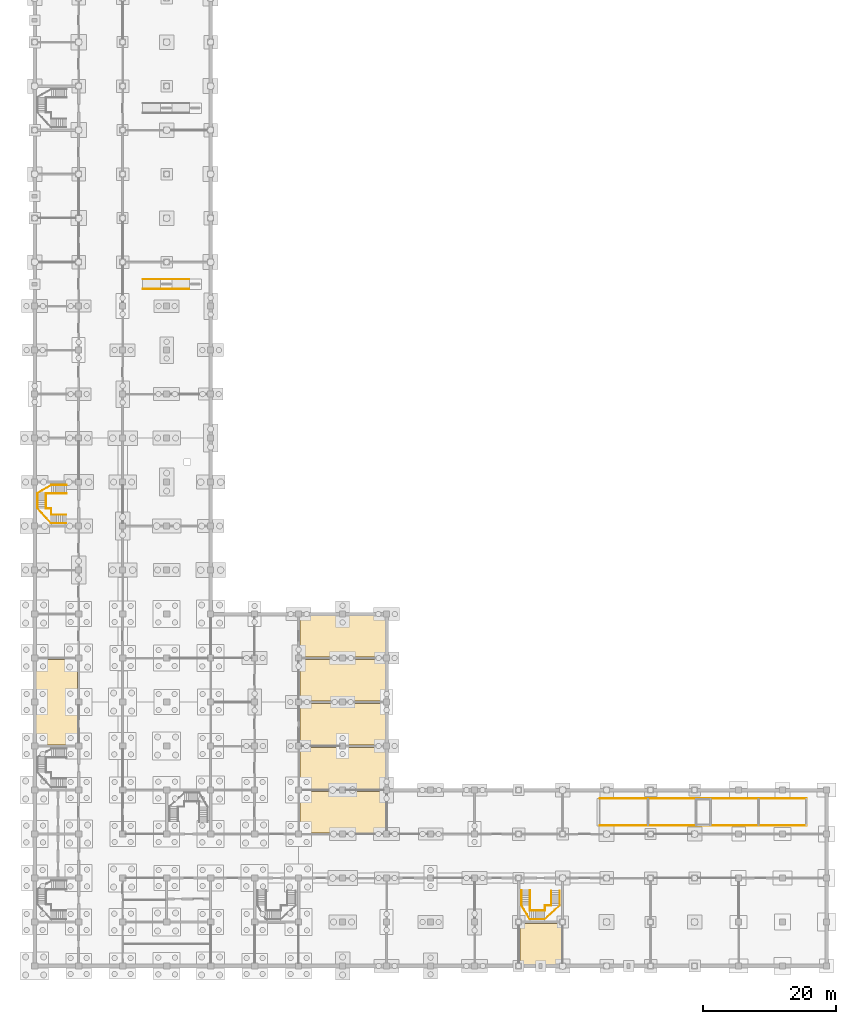
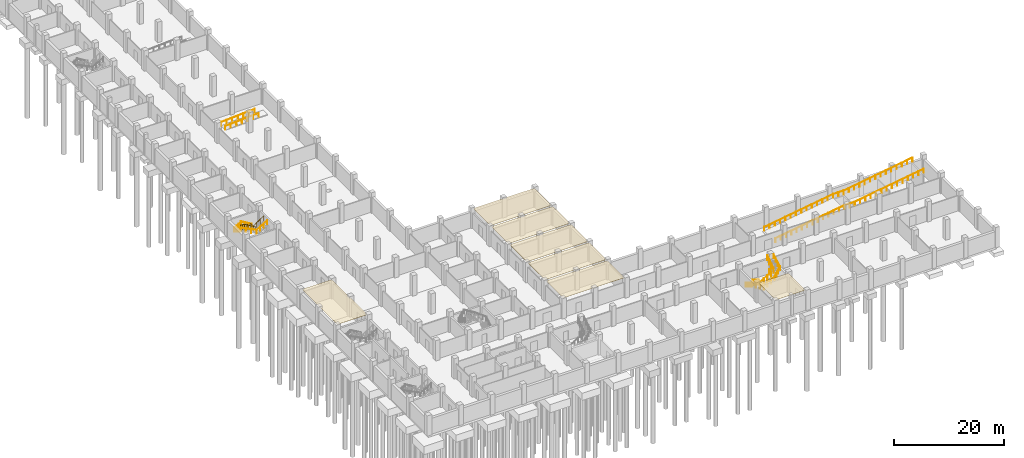
# One storey, part 17 of 18: 8 railings, 7 coverings.
"""IFC4 building model written with IfcOpenShell, lengths in metres."""

from ifc_helpers import new_model, si_unit, direction, frame, origin, origin_2d, place, context, subcontext, project, spatial, polyline, circle, outline, extrude, material, layer, layer_set, type_object, element, save


model = new_model("IFC4")

# Units and contexts
model_context = context("Model", 3, precision=1e-05, world=origin(), true_north=direction((0.0, 1.0)))
body_context = subcontext(model_context, "Body", "Model", "MODEL_VIEW")
ifc_project = project(units=[si_unit("LENGTHUNIT", "METRE"), si_unit("AREAUNIT", "SQUARE_METRE"), si_unit("VOLUMEUNIT", "CUBIC_METRE"), si_unit("PLANEANGLEUNIT", "RADIAN"), si_unit("MASSUNIT", "GRAM", prefix="KILO")], contexts=[model_context])

# Site, building, storey
site_placement = place(None, origin())
site = spatial("IfcSite", under=ifc_project, at=site_placement, CompositionType="ELEMENT")
building_placement = place(site_placement, origin())
building = spatial("IfcBuilding", under=site, at=building_placement, Name="Rusizi Kubbe Research Institute", CompositionType="ELEMENT")
storey_placement = place(building_placement, frame((0.0, 0.0, -4.5)))
storey = spatial("IfcBuildingStorey", under=building, at=storey_placement, Name="B01", CompositionType="ELEMENT", Elevation=-4.5)

# Coverings
ifc_material_1 = material(Name="Mineral-Fibre Acoustic Laboratory Ceiling", Category="masonry")
ifc_layer_1 = layer(ifc_material_1, 0.0400390625)
ifc_layer_set_1 = layer_set([ifc_layer_1], Name="Mineral-Fibre Acoustic Laboratory Ceiling")
covering_type_1 = type_object("IfcCoveringType", Name="CL-ACOUSTIC", PredefinedType="CEILING", material=ifc_layer_set_1)
covering_1_placement = place(storey_placement, frame((0.0, 0.0, 4.050048828125)))
element("IfcCovering", 1, at=covering_1_placement, inside=storey, type_object=covering_type_1, Name="Write-up Office Ceiling B01-ELBE-03", PredefinedType="CEILING", context=body_context, shape_type="SweptSolid", body=[
    extrude(outline(polyline([(39.7900390625, 19.989990234375), (52.610107421875, 19.989990234375), (52.610107421875, 26.2099609375), (39.7900390625, 26.2099609375), (39.7900390625, 19.989990234375)])), origin(), (0.0, 0.0, 1.0), 0.0400390625),
])
covering_2_placement = place(storey_placement, frame((0.0, 0.0, 4.050048828125)))
element("IfcCovering", 2, at=covering_2_placement, inside=storey, type_object=covering_type_1, Name="Write-up Office Ceiling B01-ELBE-04", PredefinedType="CEILING", context=body_context, shape_type="SweptSolid", body=[
    extrude(outline(polyline([(39.7900390625, 26.590087890625), (52.610107421875, 26.590087890625), (52.610107421875, 32.81005859375), (39.7900390625, 32.81005859375), (39.7900390625, 26.590087890625)])), origin(), (0.0, 0.0, 1.0), 0.0400390625),
])
covering_3_placement = place(storey_placement, frame((0.0, 0.0, 4.050048828125)))
element("IfcCovering", 3, at=covering_3_placement, inside=storey, type_object=covering_type_1, Name="Write-up Office Ceiling B01-ELBE-05", PredefinedType="CEILING", context=body_context, shape_type="SweptSolid", body=[
    extrude(outline(polyline([(39.7900390625, 33.18994140625), (52.610107421875, 33.18994140625), (52.610107421875, 39.409912109375), (39.7900390625, 39.409912109375), (39.7900390625, 33.18994140625)])), origin(), (0.0, 0.0, 1.0), 0.0400390625),
])
covering_4_placement = place(storey_placement, frame((0.0, 0.0, 4.050048828125)))
element("IfcCovering", 4, at=covering_4_placement, inside=storey, type_object=covering_type_1, Name="Atrium Seminar Room Ceiling B01-ELBE-06", PredefinedType="CEILING", context=body_context, shape_type="SweptSolid", body=[
    extrude(outline(polyline([(39.7900390625, 39.7900390625), (52.610107421875, 39.7900390625), (52.610107421875, 46.010009765625), (39.7900390625, 46.010009765625), (39.7900390625, 39.7900390625)])), origin(), (0.0, 0.0, 1.0), 0.0400390625),
])
covering_5_placement = place(storey_placement, frame((0.0, 0.0, 4.050048828125)))
element("IfcCovering", 5, at=covering_5_placement, inside=storey, type_object=covering_type_1, Name="Atrium Seminar Room Ceiling B01-ELBE-07", PredefinedType="CEILING", context=body_context, shape_type="SweptSolid", body=[
    extrude(outline(polyline([(39.7900390625, 46.389892578125), (52.610107421875, 46.389892578125), (52.610107421875, 52.610107421875), (39.7900390625, 52.610107421875), (39.7900390625, 46.389892578125)])), origin(), (0.0, 0.0, 1.0), 0.0400390625),
])
covering_6_placement = place(storey_placement, frame((0.0, 0.0, 4.050048828125)))
element("IfcCovering", 6, at=covering_6_placement, inside=storey, type_object=covering_type_1, Name="Laboratory Instrument Support Room Ceiling B01-EWU-11", PredefinedType="CEILING", context=body_context, shape_type="SweptSolid", body=[
    extrude(outline(polyline([(72.7900390625, 0.18994140625), (79.010009765625, 0.18994140625), (79.010009765625, 6.409912109375), (72.7900390625, 6.409912109375), (72.7900390625, 0.18994140625)])), origin(), (0.0, 0.0, 1.0), 0.0400390625),
])
ifc_material_2 = material(Name="Flush Cleanroom Aluminium HEPA Ceiling Grid", Category="aluminium")
ifc_layer_2 = layer(ifc_material_2, 0.044921875)
ifc_layer_set_2 = layer_set([ifc_layer_2], Name="Flush Cleanroom Aluminium HEPA Ceiling Grid")
covering_type_2 = type_object("IfcCoveringType", Name="CL-HEPA", PredefinedType="CEILING", material=ifc_layer_set_2)
covering_7_placement = place(storey_placement, frame((0.0, 0.0, 4.044921875)))
element("IfcCovering", 7, at=covering_7_placement, inside=storey, type_object=covering_type_2, Name="ISO-5 Nanometrology Clean Room Ceiling B01-CR-05", PredefinedType="CEILING", context=body_context, shape_type="SweptSolid", body=[
    extrude(outline(polyline([(0.18994140625, 33.18994140625), (6.409912109375, 33.18994140625), (6.409912109375, 46.010009765625), (0.18994140625, 46.010009765625), (0.18994140625, 33.18994140625)])), origin(), (0.0, 0.0, 1.0), 0.045166015625),
])

# Railings
ifc_material_3 = material(Name="Painted Steel Stair Guard", Category="steel")
railing_type_1 = type_object("IfcRailingType", Name="GR-STAIR", PredefinedType="GUARDRAIL", material=ifc_material_3)
railing_1_placement = place(storey_placement, frame((4.780029296875, 70.889892578125, 0.083251953125)))
element("IfcRailing", 8, at=railing_1_placement, inside=storey, type_object=railing_type_1, Name="Stair Inner Well Guard ST5 B01", PredefinedType="GUARDRAIL", context=body_context, shape_type="SweptSolid", body=[
    extrude(circle(Radius=0.02392578125, at=origin_2d()), frame((0.0, 0.0, 1.09619140625), z_axis=(-0.849380094892, 0.0, 0.527781635149), x_axis=(0.0, -1.0, 0.0)), (0.0, 0.0, 1.0), 2.684326171875),
    extrude(circle(Radius=0.02392578125, at=origin_2d()), frame((-2.280029296875, 0.0, 2.5126953125), z_axis=(-1.0, 0.0, 0.0), x_axis=(0.0, -1.0, 0.0)), (0.0, 0.0, 1.0), 0.7900390625),
    extrude(circle(Radius=0.02392578125, at=origin_2d()), frame((-3.070068359375, 0.0, 2.5126953125), z_axis=(0.0, 0.43341827455, 0.901192875741), x_axis=(-1.0, 0.0, 0.0)), (0.0, 0.0, 1.0), 0.09228515625),
    extrude(circle(Radius=0.02392578125, at=origin_2d()), frame((-3.070068359375, 0.0400390625, 2.59619140625), z_axis=(0.0, -0.845145079244, 0.534536991264), x_axis=(1.0, 0.0, 0.0)), (0.0, 0.0, 1.0), 2.650390625),
    extrude(circle(Radius=0.02392578125, at=origin_2d()), frame((-3.070068359375, -2.199951171875, 4.0126953125), z_axis=(0.0, -1.0, 0.0), x_axis=(1.0, 0.0, 0.0)), (0.0, 0.0, 1.0), 0.0400390625),
    extrude(circle(Radius=0.02392578125, at=origin_2d()), frame((-3.070068359375, -2.239990234375, 4.0126953125), z_axis=(1.0, 0.0, 0.0), x_axis=(0.0, 1.0, 0.0)), (0.0, 0.0, 1.0), 0.7900390625),
    extrude(circle(Radius=0.02392578125, at=origin_2d()), frame((-2.280029296875, -2.239990234375, 4.0126953125), z_axis=(0.0, -1.0, 0.0), x_axis=(1.0, 0.0, 0.0)), (0.0, 0.0, 1.0), 0.93994140625),
    extrude(circle(Radius=0.02392578125, at=origin_2d()), frame((-2.280029296875, -3.179931640625, 4.0126953125), z_axis=(0.826221523208, 0.0, 0.563345359959), x_axis=(0.0, 1.0, 0.0)), (0.0, 0.0, 1.0), 2.66259765625),
    extrude(circle(Radius=0.02099609375, at=origin_2d()), origin(), (0.0, 0.0, 1.0), 1.072021484375),
    extrude(circle(Radius=0.02099609375, at=origin_2d()), frame((-0.760009765625, 0.0, 0.47216796875)), (0.0, 0.0, 1.0), 1.072021484375),
    extrude(circle(Radius=0.02099609375, at=origin_2d()), frame((-1.52001953125, 0.0, 0.944580078125)), (0.0, 0.0, 1.0), 1.072021484375),
    extrude(circle(Radius=0.02099609375, at=origin_2d()), frame((-2.280029296875, 0.0, 1.416748046875)), (0.0, 0.0, 1.0), 1.072021484375),
    extrude(circle(Radius=0.02099609375, at=origin_2d()), frame((-3.070068359375, 0.0, 1.416748046875)), (0.0, 0.0, 1.0), 1.072021484375),
    extrude(circle(Radius=0.02099609375, at=origin_2d()), frame((-3.070068359375, 0.0400390625, 1.5)), (0.0, 0.0, 1.0), 1.072021484375),
    extrude(circle(Radius=0.02099609375, at=origin_2d()), frame((-3.070068359375, -0.70654296875, 1.97216796875)), (0.0, 0.0, 1.0), 1.072021484375),
    extrude(circle(Radius=0.02099609375, at=origin_2d()), frame((-3.070068359375, -1.453369140625, 2.444580078125)), (0.0, 0.0, 1.0), 1.072021484375),
    extrude(circle(Radius=0.02099609375, at=origin_2d()), frame((-3.070068359375, -2.199951171875, 2.916748046875)), (0.0, 0.0, 1.0), 1.072021484375),
    extrude(circle(Radius=0.02099609375, at=origin_2d()), frame((-3.070068359375, -2.239990234375, 2.916748046875)), (0.0, 0.0, 1.0), 1.072021484375),
    extrude(circle(Radius=0.02099609375, at=origin_2d()), frame((-2.280029296875, -2.239990234375, 2.916748046875)), (0.0, 0.0, 1.0), 1.072021484375),
    extrude(circle(Radius=0.02099609375, at=origin_2d()), frame((-2.280029296875, -3.179931640625, 2.916748046875)), (0.0, 0.0, 1.0), 1.072021484375),
    extrude(circle(Radius=0.02099609375, at=origin_2d()), frame((-1.546630859375, -3.179931640625, 3.416748046875)), (0.0, 0.0, 1.0), 1.072021484375),
    extrude(circle(Radius=0.02099609375, at=origin_2d()), frame((-0.8134765625, -3.179931640625, 3.916748046875)), (0.0, 0.0, 1.0), 1.072021484375),
    extrude(circle(Radius=0.02099609375, at=origin_2d()), frame((-0.080078125, -3.179931640625, 4.416748046875)), (0.0, 0.0, 1.0), 1.072021484375),
])
railing_2_placement = place(storey_placement, frame((74.31005859375, 11.3798828125, 0.083251953125)))
element("IfcRailing", 9, at=railing_2_placement, inside=storey, type_object=railing_type_1, Name="Stair Inner Well Guard ST7 B01", PredefinedType="GUARDRAIL", context=body_context, shape_type="SweptSolid", body=[
    extrude(circle(Radius=0.02392578125, at=origin_2d()), frame((0.0, 0.0, 1.09619140625), z_axis=(0.0, -0.849354757578, 0.527822409319), x_axis=(1.0, 0.0, 0.0)), (0.0, 0.0, 1.0), 2.68408203125),
    extrude(circle(Radius=0.02392578125, at=origin_2d()), frame((0.0, -2.27978515625, 2.5126953125), z_axis=(0.0, -1.0, 0.0), x_axis=(1.0, 0.0, 0.0)), (0.0, 0.0, 1.0), 0.7900390625),
    extrude(circle(Radius=0.02392578125, at=origin_2d()), frame((0.0, -3.06982421875, 2.5126953125), z_axis=(-0.43341827455, 0.0, 0.901192875741), x_axis=(0.0, -1.0, 0.0)), (0.0, 0.0, 1.0), 0.09228515625),
    extrude(circle(Radius=0.02392578125, at=origin_2d()), frame((-0.0400390625, -3.06982421875, 2.59619140625), z_axis=(0.845145079244, 0.0, 0.534536991264), x_axis=(0.0, 1.0, 0.0)), (0.0, 0.0, 1.0), 2.650390625),
    extrude(circle(Radius=0.02392578125, at=origin_2d()), frame((2.199951171875, -3.06982421875, 4.0126953125), z_axis=(1.0, 0.0, 0.0), x_axis=(0.0, 1.0, 0.0)), (0.0, 0.0, 1.0), 0.0400390625),
    extrude(circle(Radius=0.02392578125, at=origin_2d()), frame((2.239990234375, -3.06982421875, 4.0126953125), z_axis=(0.0, 1.0, 0.0), x_axis=(-1.0, 0.0, 0.0)), (0.0, 0.0, 1.0), 0.7900390625),
    extrude(circle(Radius=0.02392578125, at=origin_2d()), frame((2.239990234375, -2.27978515625, 4.0126953125), z_axis=(1.0, 0.0, 0.0), x_axis=(0.0, 1.0, 0.0)), (0.0, 0.0, 1.0), 0.93994140625),
    extrude(circle(Radius=0.02392578125, at=origin_2d()), frame((3.179931640625, -2.27978515625, 4.0126953125), z_axis=(0.0, 0.826221523208, 0.563345359959), x_axis=(-1.0, 0.0, 0.0)), (0.0, 0.0, 1.0), 2.66259765625),
    extrude(circle(Radius=0.02099609375, at=origin_2d()), origin(), (0.0, 0.0, 1.0), 1.072021484375),
    extrude(circle(Radius=0.02099609375, at=origin_2d()), frame((0.0, -0.760009765625, 0.47216796875)), (0.0, 0.0, 1.0), 1.072021484375),
    extrude(circle(Radius=0.02099609375, at=origin_2d()), frame((0.0, -1.519775390625, 0.944580078125)), (0.0, 0.0, 1.0), 1.072021484375),
    extrude(circle(Radius=0.02099609375, at=origin_2d()), frame((0.0, -2.27978515625, 1.416748046875)), (0.0, 0.0, 1.0), 1.072021484375),
    extrude(circle(Radius=0.02099609375, at=origin_2d()), frame((0.0, -3.06982421875, 1.416748046875)), (0.0, 0.0, 1.0), 1.072021484375),
    extrude(circle(Radius=0.02099609375, at=origin_2d()), frame((-0.0400390625, -3.06982421875, 1.5)), (0.0, 0.0, 1.0), 1.072021484375),
    extrude(circle(Radius=0.02099609375, at=origin_2d()), frame((0.70654296875, -3.06982421875, 1.97216796875)), (0.0, 0.0, 1.0), 1.072021484375),
    extrude(circle(Radius=0.02099609375, at=origin_2d()), frame((1.453369140625, -3.06982421875, 2.444580078125)), (0.0, 0.0, 1.0), 1.072021484375),
    extrude(circle(Radius=0.02099609375, at=origin_2d()), frame((2.199951171875, -3.06982421875, 2.916748046875)), (0.0, 0.0, 1.0), 1.072021484375),
    extrude(circle(Radius=0.02099609375, at=origin_2d()), frame((2.239990234375, -3.06982421875, 2.916748046875)), (0.0, 0.0, 1.0), 1.072021484375),
    extrude(circle(Radius=0.02099609375, at=origin_2d()), frame((2.239990234375, -2.27978515625, 2.916748046875)), (0.0, 0.0, 1.0), 1.072021484375),
    extrude(circle(Radius=0.02099609375, at=origin_2d()), frame((3.179931640625, -2.27978515625, 2.916748046875)), (0.0, 0.0, 1.0), 1.072021484375),
    extrude(circle(Radius=0.02099609375, at=origin_2d()), frame((3.179931640625, -1.54638671875, 3.416748046875)), (0.0, 0.0, 1.0), 1.072021484375),
    extrude(circle(Radius=0.02099609375, at=origin_2d()), frame((3.179931640625, -0.813232421875, 3.916748046875)), (0.0, 0.0, 1.0), 1.072021484375),
    extrude(circle(Radius=0.02099609375, at=origin_2d()), frame((3.179931640625, -0.079833984375, 4.416748046875)), (0.0, 0.0, 1.0), 1.072021484375),
])
ifc_material_4 = material(Name="Brushed Stainless Steel Handrail", Category="steel")
railing_type_2 = type_object("IfcRailingType", Name="HR-RAMP", PredefinedType="HANDRAIL", material=ifc_material_4)
for number, where, name in (
    (10, (16.199951171875, 101.56005859375, 0.0), "Ramp Handrail RAMP-B01-01-A"),
    (11, (16.199951171875, 103.0400390625, 0.0), "Ramp Handrail RAMP-B01-01-B"),
):
    element("IfcRailing", number, at=place(storey_placement, frame(where)), inside=storey, type_object=railing_type_2, Name=name, PredefinedType="HANDRAIL", context=body_context, shape_type="SweptSolid", body=[
        extrude(circle(Radius=0.02392578125, at=origin_2d()), frame((0.0, 0.0, 0.8759765625), z_axis=(0.998205511447, 0.0, 0.05988119), x_axis=(0.0, 1.0, 0.0)), (0.0, 0.0, 1.0), 7.0126953125),
        extrude(circle(Radius=0.02099609375, at=origin_2d()), origin(), (0.0, 0.0, 1.0), 0.851806640625),
        extrude(circle(Radius=0.02099609375, at=origin_2d()), frame((1.166748046875, 0.0, 0.070068359375)), (0.0, 0.0, 1.0), 0.851806640625),
        extrude(circle(Radius=0.02099609375, at=origin_2d()), frame((2.333251953125, 0.0, 0.139892578125)), (0.0, 0.0, 1.0), 0.851806640625),
        extrude(circle(Radius=0.02099609375, at=origin_2d()), frame((3.5, 0.0, 0.2099609375)), (0.0, 0.0, 1.0), 0.851806640625),
        extrude(circle(Radius=0.02099609375, at=origin_2d()), frame((4.666748046875, 0.0, 0.280029296875)), (0.0, 0.0, 1.0), 0.851806640625),
        extrude(circle(Radius=0.02099609375, at=origin_2d()), frame((5.833251953125, 0.0, 0.349853515625)), (0.0, 0.0, 1.0), 0.851806640625),
        extrude(circle(Radius=0.02099609375, at=origin_2d()), frame((7.0, 0.0, 0.419921875)), (0.0, 0.0, 1.0), 0.851806640625),
    ])
railing_3_placement = place(storey_placement, frame((84.800048828125, 21.06005859375, 0.0)))
element("IfcRailing", 12, at=railing_3_placement, inside=storey, type_object=railing_type_2, Name="Vehicle Ramp Flank Rail VR-01-S", PredefinedType="HANDRAIL", context=body_context, shape_type="SweptSolid", body=[
    extrude(circle(Radius=0.02392578125, at=origin_2d()), frame((0.0, 0.0, 0.8759765625), z_axis=(0.988011874064, 0.0, 0.154377902265), x_axis=(0.0, 1.0, 0.0)), (0.0, 0.0, 1.0), 14.57470703125),
    extrude(circle(Radius=0.02392578125, at=origin_2d()), frame((14.39990234375, 0.0, 3.1259765625), z_axis=(1.0, 0.0, 0.0), x_axis=(0.0, 1.0, 0.0)), (0.0, 0.0, 1.0), 2.199951171875),
    extrude(circle(Radius=0.02392578125, at=origin_2d()), frame((16.599853515625, 0.0, 3.1259765625), z_axis=(0.988012273275, 0.0, 0.154375347312), x_axis=(0.0, 1.0, 0.0)), (0.0, 0.0, 1.0), 14.574951171875),
    extrude(circle(Radius=0.02099609375, at=origin_2d()), origin(), (0.0, 0.0, 1.0), 0.851806640625),
    extrude(circle(Radius=0.02099609375, at=origin_2d()), frame((1.107666015625, 0.0, 0.173095703125)), (0.0, 0.0, 1.0), 0.851806640625),
    extrude(circle(Radius=0.02099609375, at=origin_2d()), frame((2.21533203125, 0.0, 0.34619140625)), (0.0, 0.0, 1.0), 0.851806640625),
    extrude(circle(Radius=0.02099609375, at=origin_2d()), frame((3.322998046875, 0.0, 0.519287109375)), (0.0, 0.0, 1.0), 0.851806640625),
    extrude(circle(Radius=0.02099609375, at=origin_2d()), frame((4.4306640625, 0.0, 0.6923828125)), (0.0, 0.0, 1.0), 0.851806640625),
    extrude(circle(Radius=0.02099609375, at=origin_2d()), frame((5.538330078125, 0.0, 0.865478515625)), (0.0, 0.0, 1.0), 0.851806640625),
    extrude(circle(Radius=0.02099609375, at=origin_2d()), frame((6.64599609375, 0.0, 1.03857421875)), (0.0, 0.0, 1.0), 0.851806640625),
    extrude(circle(Radius=0.02099609375, at=origin_2d()), frame((7.75390625, 0.0, 1.21142578125)), (0.0, 0.0, 1.0), 0.851806640625),
    extrude(circle(Radius=0.02099609375, at=origin_2d()), frame((8.861572265625, 0.0, 1.384521484375)), (0.0, 0.0, 1.0), 0.851806640625),
    extrude(circle(Radius=0.02099609375, at=origin_2d()), frame((9.96923828125, 0.0, 1.5576171875)), (0.0, 0.0, 1.0), 0.851806640625),
    extrude(circle(Radius=0.02099609375, at=origin_2d()), frame((11.076904296875, 0.0, 1.730712890625)), (0.0, 0.0, 1.0), 0.851806640625),
    extrude(circle(Radius=0.02099609375, at=origin_2d()), frame((12.1845703125, 0.0, 1.90380859375)), (0.0, 0.0, 1.0), 0.851806640625),
    extrude(circle(Radius=0.02099609375, at=origin_2d()), frame((13.292236328125, 0.0, 2.076904296875)), (0.0, 0.0, 1.0), 0.851806640625),
    extrude(circle(Radius=0.02099609375, at=origin_2d()), frame((14.39990234375, 0.0, 2.25)), (0.0, 0.0, 1.0), 0.851806640625),
    extrude(circle(Radius=0.02099609375, at=origin_2d()), frame((15.5, 0.0, 2.25)), (0.0, 0.0, 1.0), 0.851806640625),
    extrude(circle(Radius=0.02099609375, at=origin_2d()), frame((16.599853515625, 0.0, 2.25)), (0.0, 0.0, 1.0), 0.851806640625),
    extrude(circle(Radius=0.02099609375, at=origin_2d()), frame((17.70751953125, 0.0, 2.423095703125)), (0.0, 0.0, 1.0), 0.851806640625),
    extrude(circle(Radius=0.02099609375, at=origin_2d()), frame((18.815185546875, 0.0, 2.59619140625)), (0.0, 0.0, 1.0), 0.851806640625),
    extrude(circle(Radius=0.02099609375, at=origin_2d()), frame((19.9228515625, 0.0, 2.769287109375)), (0.0, 0.0, 1.0), 0.851806640625),
    extrude(circle(Radius=0.02099609375, at=origin_2d()), frame((21.03076171875, 0.0, 2.9423828125)), (0.0, 0.0, 1.0), 0.851806640625),
    extrude(circle(Radius=0.02099609375, at=origin_2d()), frame((22.138427734375, 0.0, 3.115478515625)), (0.0, 0.0, 1.0), 0.851806640625),
    extrude(circle(Radius=0.02099609375, at=origin_2d()), frame((23.24609375, 0.0, 3.28857421875)), (0.0, 0.0, 1.0), 0.851806640625),
    extrude(circle(Radius=0.02099609375, at=origin_2d()), frame((24.353759765625, 0.0, 3.46142578125)), (0.0, 0.0, 1.0), 0.851806640625),
    extrude(circle(Radius=0.02099609375, at=origin_2d()), frame((25.46142578125, 0.0, 3.634521484375)), (0.0, 0.0, 1.0), 0.851806640625),
    extrude(circle(Radius=0.02099609375, at=origin_2d()), frame((26.569091796875, 0.0, 3.8076171875)), (0.0, 0.0, 1.0), 0.851806640625),
    extrude(circle(Radius=0.02099609375, at=origin_2d()), frame((27.677001953125, 0.0, 3.980712890625)), (0.0, 0.0, 1.0), 0.851806640625),
    extrude(circle(Radius=0.02099609375, at=origin_2d()), frame((28.78466796875, 0.0, 4.15380859375)), (0.0, 0.0, 1.0), 0.851806640625),
    extrude(circle(Radius=0.02099609375, at=origin_2d()), frame((29.892333984375, 0.0, 4.326904296875)), (0.0, 0.0, 1.0), 0.851806640625),
    extrude(circle(Radius=0.02099609375, at=origin_2d()), frame((31.0, 0.0, 4.5)), (0.0, 0.0, 1.0), 0.851806640625),
])
railing_4_placement = place(storey_placement, frame((84.800048828125, 25.139892578125, 0.0)))
element("IfcRailing", 13, at=railing_4_placement, inside=storey, type_object=railing_type_2, Name="Vehicle Ramp Flank Rail VR-01-N", PredefinedType="HANDRAIL", context=body_context, shape_type="SweptSolid", body=[
    extrude(circle(Radius=0.02392578125, at=origin_2d()), frame((0.0, 0.0, 0.8759765625), z_axis=(0.988011874064, 0.0, 0.154377902265), x_axis=(0.0, 1.0, 0.0)), (0.0, 0.0, 1.0), 14.57470703125),
    extrude(circle(Radius=0.02392578125, at=origin_2d()), frame((14.39990234375, 0.0, 3.1259765625), z_axis=(1.0, 0.0, 0.0), x_axis=(0.0, 1.0, 0.0)), (0.0, 0.0, 1.0), 2.199951171875),
    extrude(circle(Radius=0.02392578125, at=origin_2d()), frame((16.599853515625, 0.0, 3.1259765625), z_axis=(0.988012273275, 0.0, 0.154375347312), x_axis=(0.0, 1.0, 0.0)), (0.0, 0.0, 1.0), 14.574951171875),
    extrude(circle(Radius=0.02099609375, at=origin_2d()), origin(), (0.0, 0.0, 1.0), 0.851806640625),
    extrude(circle(Radius=0.02099609375, at=origin_2d()), frame((1.107666015625, 0.0, 0.173095703125)), (0.0, 0.0, 1.0), 0.851806640625),
    extrude(circle(Radius=0.02099609375, at=origin_2d()), frame((2.21533203125, 0.0, 0.34619140625)), (0.0, 0.0, 1.0), 0.851806640625),
    extrude(circle(Radius=0.02099609375, at=origin_2d()), frame((3.322998046875, 0.0, 0.519287109375)), (0.0, 0.0, 1.0), 0.851806640625),
    extrude(circle(Radius=0.02099609375, at=origin_2d()), frame((4.4306640625, 0.0, 0.6923828125)), (0.0, 0.0, 1.0), 0.851806640625),
    extrude(circle(Radius=0.02099609375, at=origin_2d()), frame((5.538330078125, 0.0, 0.865478515625)), (0.0, 0.0, 1.0), 0.851806640625),
    extrude(circle(Radius=0.02099609375, at=origin_2d()), frame((6.64599609375, 0.0, 1.03857421875)), (0.0, 0.0, 1.0), 0.851806640625),
    extrude(circle(Radius=0.02099609375, at=origin_2d()), frame((7.75390625, 0.0, 1.21142578125)), (0.0, 0.0, 1.0), 0.851806640625),
    extrude(circle(Radius=0.02099609375, at=origin_2d()), frame((8.861572265625, 0.0, 1.384521484375)), (0.0, 0.0, 1.0), 0.851806640625),
    extrude(circle(Radius=0.02099609375, at=origin_2d()), frame((9.96923828125, 0.0, 1.5576171875)), (0.0, 0.0, 1.0), 0.851806640625),
    extrude(circle(Radius=0.02099609375, at=origin_2d()), frame((11.076904296875, 0.0, 1.730712890625)), (0.0, 0.0, 1.0), 0.851806640625),
    extrude(circle(Radius=0.02099609375, at=origin_2d()), frame((12.1845703125, 0.0, 1.90380859375)), (0.0, 0.0, 1.0), 0.851806640625),
    extrude(circle(Radius=0.02099609375, at=origin_2d()), frame((13.292236328125, 0.0, 2.076904296875)), (0.0, 0.0, 1.0), 0.851806640625),
    extrude(circle(Radius=0.02099609375, at=origin_2d()), frame((14.39990234375, 0.0, 2.25)), (0.0, 0.0, 1.0), 0.851806640625),
    extrude(circle(Radius=0.02099609375, at=origin_2d()), frame((15.5, 0.0, 2.25)), (0.0, 0.0, 1.0), 0.851806640625),
    extrude(circle(Radius=0.02099609375, at=origin_2d()), frame((16.599853515625, 0.0, 2.25)), (0.0, 0.0, 1.0), 0.851806640625),
    extrude(circle(Radius=0.02099609375, at=origin_2d()), frame((17.70751953125, 0.0, 2.423095703125)), (0.0, 0.0, 1.0), 0.851806640625),
    extrude(circle(Radius=0.02099609375, at=origin_2d()), frame((18.815185546875, 0.0, 2.59619140625)), (0.0, 0.0, 1.0), 0.851806640625),
    extrude(circle(Radius=0.02099609375, at=origin_2d()), frame((19.9228515625, 0.0, 2.769287109375)), (0.0, 0.0, 1.0), 0.851806640625),
    extrude(circle(Radius=0.02099609375, at=origin_2d()), frame((21.03076171875, 0.0, 2.9423828125)), (0.0, 0.0, 1.0), 0.851806640625),
    extrude(circle(Radius=0.02099609375, at=origin_2d()), frame((22.138427734375, 0.0, 3.115478515625)), (0.0, 0.0, 1.0), 0.851806640625),
    extrude(circle(Radius=0.02099609375, at=origin_2d()), frame((23.24609375, 0.0, 3.28857421875)), (0.0, 0.0, 1.0), 0.851806640625),
    extrude(circle(Radius=0.02099609375, at=origin_2d()), frame((24.353759765625, 0.0, 3.46142578125)), (0.0, 0.0, 1.0), 0.851806640625),
    extrude(circle(Radius=0.02099609375, at=origin_2d()), frame((25.46142578125, 0.0, 3.634521484375)), (0.0, 0.0, 1.0), 0.851806640625),
    extrude(circle(Radius=0.02099609375, at=origin_2d()), frame((26.569091796875, 0.0, 3.8076171875)), (0.0, 0.0, 1.0), 0.851806640625),
    extrude(circle(Radius=0.02099609375, at=origin_2d()), frame((27.677001953125, 0.0, 3.980712890625)), (0.0, 0.0, 1.0), 0.851806640625),
    extrude(circle(Radius=0.02099609375, at=origin_2d()), frame((28.78466796875, 0.0, 4.15380859375)), (0.0, 0.0, 1.0), 0.851806640625),
    extrude(circle(Radius=0.02099609375, at=origin_2d()), frame((29.892333984375, 0.0, 4.326904296875)), (0.0, 0.0, 1.0), 0.851806640625),
    extrude(circle(Radius=0.02099609375, at=origin_2d()), frame((31.0, 0.0, 4.5)), (0.0, 0.0, 1.0), 0.851806640625),
])
ifc_material_5 = material(Name="Brushed Stainless Steel Handrail", Category="steel")
railing_type_3 = type_object("IfcRailingType", Name="HR-STAIR", PredefinedType="HANDRAIL", material=ifc_material_5)
railing_5_placement = place(storey_placement, frame((4.780029296875, 72.179931640625, 0.166748046875)))
element("IfcRailing", 14, at=railing_5_placement, inside=storey, type_object=railing_type_3, Name="Stair Wall Handrail ST5 B01", PredefinedType="HANDRAIL", context=body_context, shape_type="SweptSolid", body=[
    extrude(circle(Radius=0.02392578125, at=origin_2d()), frame((0.0, 0.0, 0.8759765625), z_axis=(-0.859305625298, 0.0, 0.511462454469), x_axis=(0.0, -1.0, 0.0)), (0.0, 0.0, 1.0), 2.606689453125),
    extrude(circle(Radius=0.02392578125, at=origin_2d()), frame((-2.239990234375, 0.0, 2.208984375), z_axis=(-0.859453479743, -0.506725220669, 0.067596352679), x_axis=(0.50788688454, -0.861423770575, 0.0)), (0.0, 0.0, 1.0), 2.466796875),
    extrude(circle(Radius=0.02392578125, at=origin_2d()), frame((-4.360107421875, -1.25, 2.3759765625), z_axis=(0.0, -0.859305625298, 0.511462454469), x_axis=(1.0, 0.0, 0.0)), (0.0, 0.0, 1.0), 2.606689453125),
    extrude(circle(Radius=0.02392578125, at=origin_2d()), frame((-4.360107421875, -3.489990234375, 3.708984375), z_axis=(0.668535083684, -0.741682282317, 0.054481501271), x_axis=(0.742785482118, 0.669529482215, 0.0)), (0.0, 0.0, 1.0), 3.060546875),
    extrude(circle(Radius=0.02392578125, at=origin_2d()), frame((-2.31396484375, -5.760009765625, 3.8759765625), z_axis=(0.858691267974, 0.0, 0.512493225618), x_axis=(0.0, 1.0, 0.0)), (0.0, 0.0, 1.0), 2.6015625),
    extrude(circle(Radius=0.02099609375, at=origin_2d()), origin(), (0.0, 0.0, 1.0), 0.851806640625),
    extrude(circle(Radius=0.02099609375, at=origin_2d()), frame((-0.74658203125, 0.0, 0.4443359375)), (0.0, 0.0, 1.0), 0.851806640625),
    extrude(circle(Radius=0.02099609375, at=origin_2d()), frame((-1.493408203125, 0.0, 0.888916015625)), (0.0, 0.0, 1.0), 0.851806640625),
    extrude(circle(Radius=0.02099609375, at=origin_2d()), frame((-2.239990234375, 0.0, 1.333251953125)), (0.0, 0.0, 1.0), 0.851806640625),
    extrude(circle(Radius=0.02099609375, at=origin_2d()), frame((-2.94677734375, -0.416748046875, 1.388916015625)), (0.0, 0.0, 1.0), 0.851806640625),
    extrude(circle(Radius=0.02099609375, at=origin_2d()), frame((-3.6533203125, -0.833251953125, 1.4443359375)), (0.0, 0.0, 1.0), 0.851806640625),
    extrude(circle(Radius=0.02099609375, at=origin_2d()), frame((-4.360107421875, -1.25, 1.5)), (0.0, 0.0, 1.0), 0.851806640625),
    extrude(circle(Radius=0.02099609375, at=origin_2d()), frame((-4.360107421875, -1.99658203125, 1.9443359375)), (0.0, 0.0, 1.0), 0.851806640625),
    extrude(circle(Radius=0.02099609375, at=origin_2d()), frame((-4.360107421875, -2.743408203125, 2.388916015625)), (0.0, 0.0, 1.0), 0.851806640625),
    extrude(circle(Radius=0.02099609375, at=origin_2d()), frame((-4.360107421875, -3.489990234375, 2.833251953125)), (0.0, 0.0, 1.0), 0.851806640625),
    extrude(circle(Radius=0.02099609375, at=origin_2d()), frame((-3.677978515625, -4.24658203125, 2.888916015625)), (0.0, 0.0, 1.0), 0.851806640625),
    extrude(circle(Radius=0.02099609375, at=origin_2d()), frame((-2.99609375, -5.00341796875, 2.9443359375)), (0.0, 0.0, 1.0), 0.851806640625),
    extrude(circle(Radius=0.02099609375, at=origin_2d()), frame((-2.31396484375, -5.760009765625, 3.0)), (0.0, 0.0, 1.0), 0.851806640625),
    extrude(circle(Radius=0.02099609375, at=origin_2d()), frame((-1.5693359375, -5.760009765625, 3.4443359375)), (0.0, 0.0, 1.0), 0.851806640625),
    extrude(circle(Radius=0.02099609375, at=origin_2d()), frame((-0.82470703125, -5.760009765625, 3.888916015625)), (0.0, 0.0, 1.0), 0.851806640625),
    extrude(circle(Radius=0.02099609375, at=origin_2d()), frame((-0.080078125, -5.760009765625, 4.333251953125)), (0.0, 0.0, 1.0), 0.851806640625),
])
railing_6_placement = place(storey_placement, frame((73.02001953125, 11.3798828125, 0.166748046875)))
element("IfcRailing", 15, at=railing_6_placement, inside=storey, type_object=railing_type_3, Name="Stair Wall Handrail ST7 B01", PredefinedType="HANDRAIL", context=body_context, shape_type="SweptSolid", body=[
    extrude(circle(Radius=0.02392578125, at=origin_2d()), frame((0.0, 0.0, 0.8759765625), z_axis=(0.0, -0.859305625298, 0.511462454469), x_axis=(1.0, 0.0, 0.0)), (0.0, 0.0, 1.0), 2.606689453125),
    extrude(circle(Radius=0.02392578125, at=origin_2d()), frame((0.0, -2.239990234375, 2.208984375), z_axis=(0.50676832569, -0.859427611711, 0.067602102821), x_axis=(0.861398179608, 0.50793028672, 0.0)), (0.0, 0.0, 1.0), 2.466552734375),
    extrude(circle(Radius=0.02392578125, at=origin_2d()), frame((1.25, -4.35986328125, 2.3759765625), z_axis=(0.859305625298, 0.0, 0.511462454469), x_axis=(0.0, 1.0, 0.0)), (0.0, 0.0, 1.0), 2.606689453125),
    extrude(circle(Radius=0.02392578125, at=origin_2d()), frame((3.489990234375, -4.35986328125, 3.708984375), z_axis=(0.741721835305, 0.668490963632, 0.054484406702), x_axis=(-0.66948540283, 0.742825211875, 0.0)), (0.0, 0.0, 1.0), 3.060546875),
    extrude(circle(Radius=0.02392578125, at=origin_2d()), frame((5.760009765625, -2.31396484375, 3.8759765625), z_axis=(0.0, 0.858715913593, 0.512451929202), x_axis=(-1.0, 0.0, 0.0)), (0.0, 0.0, 1.0), 2.601806640625),
    extrude(circle(Radius=0.02099609375, at=origin_2d()), origin(), (0.0, 0.0, 1.0), 0.851806640625),
    extrude(circle(Radius=0.02099609375, at=origin_2d()), frame((0.0, -0.74658203125, 0.4443359375)), (0.0, 0.0, 1.0), 0.851806640625),
    extrude(circle(Radius=0.02099609375, at=origin_2d()), frame((0.0, -1.493408203125, 0.888916015625)), (0.0, 0.0, 1.0), 0.851806640625),
    extrude(circle(Radius=0.02099609375, at=origin_2d()), frame((0.0, -2.239990234375, 1.333251953125)), (0.0, 0.0, 1.0), 0.851806640625),
    extrude(circle(Radius=0.02099609375, at=origin_2d()), frame((0.416748046875, -2.946533203125, 1.388916015625)), (0.0, 0.0, 1.0), 0.851806640625),
    extrude(circle(Radius=0.02099609375, at=origin_2d()), frame((0.833251953125, -3.6533203125, 1.4443359375)), (0.0, 0.0, 1.0), 0.851806640625),
    extrude(circle(Radius=0.02099609375, at=origin_2d()), frame((1.25, -4.35986328125, 1.5)), (0.0, 0.0, 1.0), 0.851806640625),
    extrude(circle(Radius=0.02099609375, at=origin_2d()), frame((1.99658203125, -4.35986328125, 1.9443359375)), (0.0, 0.0, 1.0), 0.851806640625),
    extrude(circle(Radius=0.02099609375, at=origin_2d()), frame((2.743408203125, -4.35986328125, 2.388916015625)), (0.0, 0.0, 1.0), 0.851806640625),
    extrude(circle(Radius=0.02099609375, at=origin_2d()), frame((3.489990234375, -4.35986328125, 2.833251953125)), (0.0, 0.0, 1.0), 0.851806640625),
    extrude(circle(Radius=0.02099609375, at=origin_2d()), frame((4.24658203125, -3.677978515625, 2.888916015625)), (0.0, 0.0, 1.0), 0.851806640625),
    extrude(circle(Radius=0.02099609375, at=origin_2d()), frame((5.00341796875, -2.995849609375, 2.9443359375)), (0.0, 0.0, 1.0), 0.851806640625),
    extrude(circle(Radius=0.02099609375, at=origin_2d()), frame((5.760009765625, -2.31396484375, 3.0)), (0.0, 0.0, 1.0), 0.851806640625),
    extrude(circle(Radius=0.02099609375, at=origin_2d()), frame((5.760009765625, -1.5693359375, 3.4443359375)), (0.0, 0.0, 1.0), 0.851806640625),
    extrude(circle(Radius=0.02099609375, at=origin_2d()), frame((5.760009765625, -0.824462890625, 3.888916015625)), (0.0, 0.0, 1.0), 0.851806640625),
    extrude(circle(Radius=0.02099609375, at=origin_2d()), frame((5.760009765625, -0.079833984375, 4.333251953125)), (0.0, 0.0, 1.0), 0.851806640625),
])

save(model, "model.ifc")
